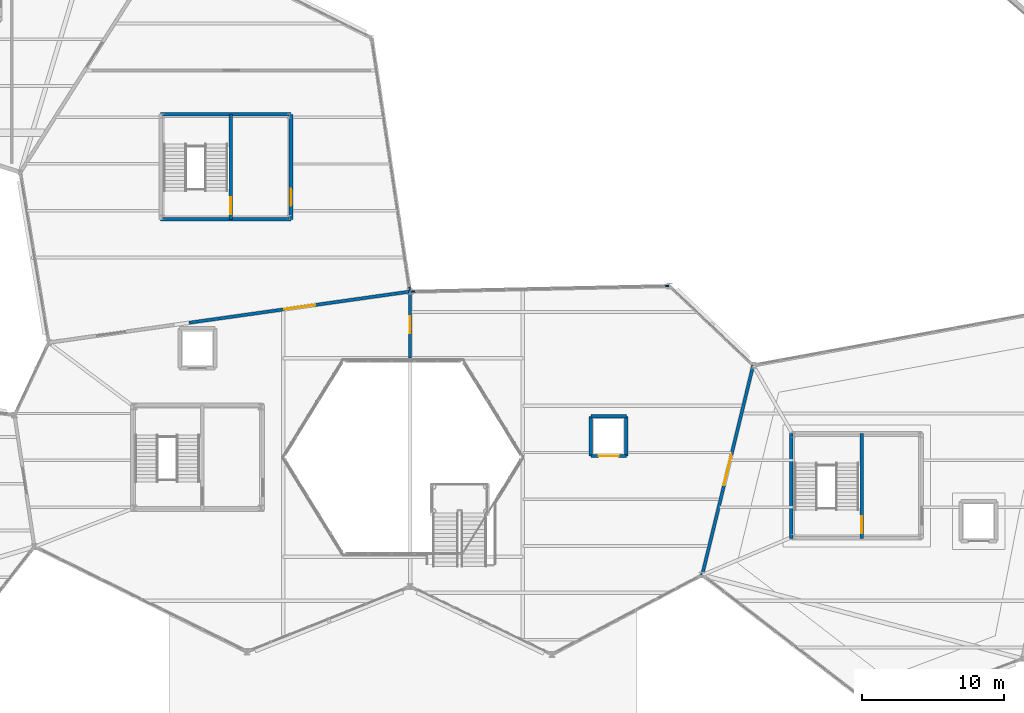
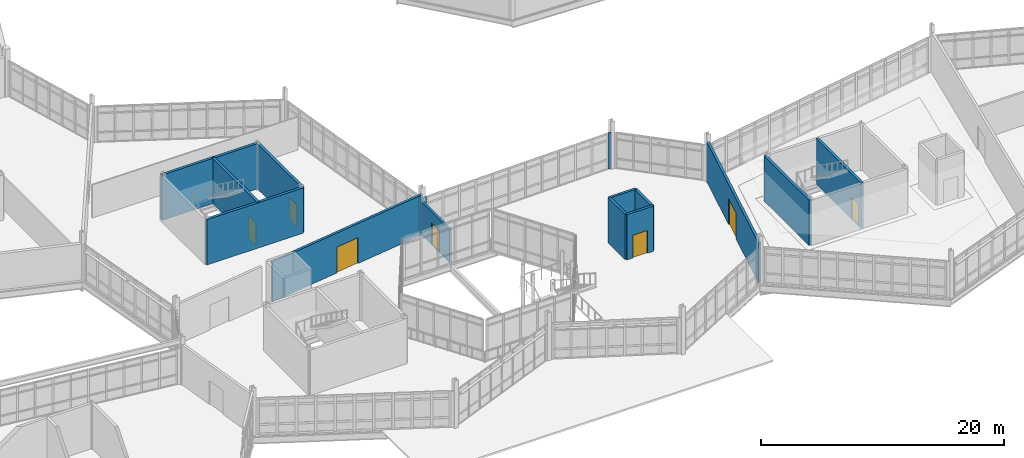
# One storey, part 109 of 134: 16 walls, 7 doors, 7 openings.
"""IFC4 building model written with IfcOpenShell, lengths in metres."""

from ifc_helpers import new_model, si_unit, direction, frame, frame_2d, origin, place, context, subcontext, project, spatial, rectangle, extrude, material, layer, layer_set, type_object, element, fill, save


model = new_model("IFC4")

# Units and contexts
model_context = context("Model", 3, precision=1e-05, world=origin(), true_north=direction((0.0, 1.0)))
body_context = subcontext(model_context, "Body", "Model", "MODEL_VIEW")
ifc_project = project(units=[si_unit("LENGTHUNIT", "METRE"), si_unit("AREAUNIT", "SQUARE_METRE"), si_unit("VOLUMEUNIT", "CUBIC_METRE"), si_unit("PLANEANGLEUNIT", "RADIAN"), si_unit("MASSUNIT", "GRAM", prefix="KILO")], contexts=[model_context])

# Site, building, storey
site_placement = place(None, origin())
site = spatial("IfcSite", under=ifc_project, at=site_placement, CompositionType="ELEMENT")
building_placement = place(site_placement, origin())
building = spatial("IfcBuilding", under=site, at=building_placement, Name="Tameran Prism Museum", CompositionType="ELEMENT")
storey_placement = place(building_placement, frame((0.0, 0.0, 5.39990234375)))
storey = spatial("IfcBuildingStorey", under=building, at=storey_placement, Name="L01", CompositionType="ELEMENT", Elevation=5.39990234375)

# Walls
ifc_material_1 = material(Name="Precast Concrete N40 (40 MPa)", Category="concrete")
ifc_layer_1 = layer(ifc_material_1, 0.094970703125)
ifc_layer_set_1 = layer_set([ifc_layer_1])
wall_type_1 = type_object("IfcWallType", Name="EW-CLOS-095", PredefinedType="SOLIDWALL", material=ifc_layer_set_1)
wall_1_placement = place(storey_placement, frame((77.60205078125, 48.201904296875, 0.0), z_axis=(0.0, 0.0, 1.0), x_axis=(0.999735659566, 0.022991541735, 0.0)))
element("IfcWall", 1, at=wall_1_placement, inside=storey, type_object=wall_type_1, Name="Facade Corner Closure EW-0197", PredefinedType="SOLIDWALL", context=body_context, shape_type="SweptSolid", body=[
    extrude(rectangle(XDim=0.307861328125, YDim=0.094970703125, at=frame_2d((0.15380859375, 0.0))), origin(), (0.0, 0.0, 1.0), 3.6201171875),
])
wall_2_placement = place(storey_placement, frame((95.449951171875, 48.592041015625, 0.0), z_axis=(0.0, 0.0, 1.0), x_axis=(0.999736078158, 0.022973333016, 0.0)))
element("IfcWall", 2, at=wall_2_placement, inside=storey, type_object=wall_type_1, Name="Facade Corner Closure EW-0198", PredefinedType="SOLIDWALL", context=body_context, shape_type="SweptSolid", body=[
    extrude(rectangle(XDim=0.30810546875, YDim=0.094970703125, at=frame_2d((0.154052734375, 0.0))), origin(), (0.0, 0.0, 1.0), 3.6201171875),
])
wall_3_placement = place(storey_placement, frame((77.43896484375, 48.60498046875, 0.0), z_axis=(0.0, 0.0, 1.0), x_axis=(0.15008766182, -0.988672692942, 0.0)))
element("IfcWall", 3, at=wall_3_placement, inside=storey, type_object=wall_type_1, Name="Facade Corner Closure EW-0202", PredefinedType="SOLIDWALL", context=body_context, shape_type="SweptSolid", body=[
    extrude(rectangle(XDim=0.307373046875, YDim=0.094970703125, at=frame_2d((0.15380859375, 0.0))), origin(), (0.0, 0.0, 1.0), 3.6201171875),
])

# Wall, opening, door
ifc_material_2 = material(Name="Concrete N32 (32 MPa)", Category="concrete")
ifc_layer_2 = layer(ifc_material_2, 0.205078125)
ifc_layer_set_2 = layer_set([ifc_layer_2])
wall_type_2 = type_object("IfcWallType", Name="IW-CMP-205", PredefinedType="SOLIDWALL", material=ifc_layer_set_2)
wall_4_placement = place(storey_placement, frame((77.5, 43.5, 0.0), z_axis=(0.0, 0.0, 1.0), x_axis=(0.0, 1.0, 0.0)))
wall_4 = element("IfcWall", 4, at=wall_4_placement, inside=storey, type_object=wall_type_2, Name="Compartment Wall IW-0081", PredefinedType="SOLIDWALL", context=body_context, shape_type="SweptSolid", body=[
    extrude(rectangle(XDim=4.699951171875, YDim=0.205078125, at=frame_2d((2.35009765625, 0.0))), origin(), (0.0, 0.0, 1.0), 3.320068359375),
])
opening_1_placement = place(wall_4_placement, frame((1.75, 0.0, 0.0)))
opening_1 = element("IfcOpeningElement", 5, at=opening_1_placement, cuts=wall_4, Name="Opening ID-0080", PredefinedType="OPENING", context=body_context, shape_type="SweptSolid", body=[
    extrude(rectangle(XDim=1.199951171875, YDim=2.199951171875, at=frame_2d((0.60009765625, 1.10009765625))), frame((0.0, 0.112548828125, 0.0), z_axis=(0.0, -1.0, 0.0), x_axis=(1.0, 0.0, 0.0)), (0.0, 0.0, 1.0), 0.22509765625),
])
ifc_material_3 = material(Name="Fire-Rated Steel Door Leaf and Frame", Category="steel")
door_type_1 = type_object("IfcDoorType", Name="DR-FD-120A", OperationType="NOTDEFINED", PredefinedType="DOOR", material=ifc_material_3)
door_1_placement = place(opening_1_placement, origin())
door_1 = element("IfcDoor", 6, at=door_1_placement, inside=storey, type_object=door_type_1, Name="Compartment Door ID-0080", OperationType="SINGLE_SWING_LEFT", OverallHeight=2.199951171875, OverallWidth=1.199951171875, PredefinedType="DOOR", context=body_context, shape_type="SweptSolid", body=[
    extrude(rectangle(XDim=1.199951171875, YDim=2.199951171875, at=frame_2d((0.60009765625, 1.10009765625))), frame((0.0, 0.02490234375, 0.0), z_axis=(0.0, -1.0, 0.0), x_axis=(1.0, 0.0, 0.0)), (0.0, 0.0, 1.0), 0.050048828125),
])
fill(opening_1, door_1)

ifc_material_4 = material(Name="Concrete N40 (40 MPa)", Category="concrete")
ifc_layer_3 = layer(ifc_material_4, 0.22509765625)
ifc_layer_set_3 = layer_set([ifc_layer_3])
wall_type_3 = type_object("IfcWallType", Name="IW-CMP-225", PredefinedType="SOLIDWALL", material=ifc_layer_set_3)
wall_5_placement = place(storey_placement, frame((77.5, 48.199951171875, 0.0), z_axis=(0.0, 0.0, 1.0), x_axis=(-0.990181159322, -0.139790098807, 0.0)))
wall_5 = element("IfcWall", 7, at=wall_5_placement, inside=storey, type_object=wall_type_3, Name="Compartment Wall IW-0082", PredefinedType="SOLIDWALL", context=body_context, shape_type="SweptSolid", body=[
    extrude(rectangle(XDim=15.737548828125, YDim=0.22509765625, at=frame_2d((7.86865234375, 0.0))), origin(), (0.0, 0.0, 1.0), 4.02001953125),
])
opening_2_placement = place(wall_5_placement, frame((6.76904296875, 0.0, 0.0)))
opening_2 = element("IfcOpeningElement", 8, at=opening_2_placement, cuts=wall_5, Name="Opening ID-0081", PredefinedType="OPENING", context=body_context, shape_type="SweptSolid", body=[
    extrude(rectangle(XDim=2.199951171875, YDim=2.60009765625, at=frame_2d((1.10009765625, 1.300048828125))), frame((0.0, 0.12255859375, 0.0), z_axis=(0.0, -1.0, 0.0), x_axis=(1.0, 0.0, 0.0)), (0.0, 0.0, 1.0), 0.2451171875),
])
ifc_material_5 = material(Name="Fire-Rated Steel Door Leaf and Frame", Category="steel")
door_type_2 = type_object("IfcDoorType", Name="DR-GAL-220", OperationType="DOUBLE_DOOR_SINGLE_SWING", PredefinedType="DOOR", material=ifc_material_5)
door_2_placement = place(opening_2_placement, origin())
door_2 = element("IfcDoor", 9, at=door_2_placement, inside=storey, type_object=door_type_2, Name="Compartment Door ID-0081", OperationType="DOUBLE_DOOR_SINGLE_SWING", OverallHeight=2.60009765625, OverallWidth=2.199951171875, PredefinedType="DOOR", context=body_context, shape_type="SweptSolid", body=[
    extrude(rectangle(XDim=2.199951171875, YDim=2.60009765625, at=frame_2d((1.10009765625, 1.300048828125))), frame((0.0, 0.02490234375, 0.0), z_axis=(0.0, -1.0, 0.0), x_axis=(1.0, 0.0, 0.0)), (0.0, 0.0, 1.0), 0.050048828125),
])
fill(opening_2, door_2)

wall_6_placement = place(storey_placement, frame((98.10009765625, 28.199951171875, 0.0), z_axis=(0.0, 0.0, 1.0), x_axis=(0.236341762997, 0.971669990822, 0.0)))
wall_6 = element("IfcWall", 10, at=wall_6_placement, inside=storey, type_object=wall_type_3, Name="Compartment Wall IW-0085", PredefinedType="SOLIDWALL", context=body_context, shape_type="SweptSolid", body=[
    extrude(rectangle(XDim=15.2314453125, YDim=0.22509765625, at=frame_2d((7.61572265625, 0.0))), origin(), (0.0, 0.0, 1.0), 4.02001953125),
])
opening_3_placement = place(wall_6_placement, frame((6.51611328125, 0.0, 0.0)))
opening_3 = element("IfcOpeningElement", 11, at=opening_3_placement, cuts=wall_6, Name="Opening ID-0084", PredefinedType="OPENING", context=body_context, shape_type="SweptSolid", body=[
    extrude(rectangle(XDim=2.199951171875, YDim=2.60009765625, at=frame_2d((1.10009765625, 1.300048828125))), frame((0.0, 0.12255859375, 0.0), z_axis=(0.0, -1.0, 0.0), x_axis=(1.0, 0.0, 0.0)), (0.0, 0.0, 1.0), 0.2451171875),
])
door_3_placement = place(opening_3_placement, origin())
door_3 = element("IfcDoor", 12, at=door_3_placement, inside=storey, type_object=door_type_2, Name="Compartment Door ID-0084", OperationType="DOUBLE_DOOR_SINGLE_SWING", OverallHeight=2.60009765625, OverallWidth=2.199951171875, PredefinedType="DOOR", context=body_context, shape_type="SweptSolid", body=[
    extrude(rectangle(XDim=2.199951171875, YDim=2.60009765625, at=frame_2d((1.10009765625, 1.300048828125))), frame((0.0, 0.02490234375, 0.0), z_axis=(0.0, -1.0, 0.0), x_axis=(1.0, 0.0, 0.0)), (0.0, 0.0, 1.0), 0.050048828125),
])
fill(opening_3, door_3)

# Walls
ifc_material_6 = material(Name="Concrete N40 (40 MPa)", Category="concrete")
ifc_layer_4 = layer(ifc_material_6, 0.25)
ifc_layer_set_4 = layer_set([ifc_layer_4])
wall_type_4 = type_object("IfcWallType", Name="IW-COR-250", PredefinedType="SHEAR", material=ifc_layer_set_4)
for number, where, z_axis, x_axis, name in (
    (13, (59.89990234375, 60.699951171875, 0.0), (0.0, 0.0, 1.0), (1.0, 0.0, 0.0), "Core Shear Wall CW-8-L01-N"),
    (14, (69.10009765625, 53.300048828125, 0.0), (0.0, 0.0, 1.0), (-1.0, 0.0, 0.0), "Core Shear Wall CW-8-L01-S"),
):
    element("IfcWall", number, at=place(storey_placement, frame(where, z_axis=z_axis, x_axis=x_axis)), inside=storey, type_object=wall_type_4, Name=name, PredefinedType="SHEAR", context=body_context, shape_type="SweptSolid", body=[
        extrude(rectangle(XDim=9.2001953125, YDim=0.25, at=frame_2d((4.60009765625, 0.0))), origin(), (0.0, 0.0, 1.0), 4.56005859375),
    ])

# Wall, opening, door
wall_7_placement = place(storey_placement, frame((69.10009765625, 60.699951171875, 0.0), z_axis=(0.0, 0.0, 1.0), x_axis=(0.0, -1.0, 0.0)))
wall_7 = element("IfcWall", 15, at=wall_7_placement, inside=storey, type_object=wall_type_4, Name="Core Shear Wall CW-8-L01-E", PredefinedType="SHEAR", context=body_context, shape_type="SweptSolid", body=[
    extrude(rectangle(XDim=7.39990234375, YDim=0.25, at=frame_2d((3.699951171875, 0.0))), origin(), (0.0, 0.0, 1.0), 4.56005859375),
])
opening_4_placement = place(wall_7_placement, frame((5.25, 0.0, 0.0)))
opening_4 = element("IfcOpeningElement", 16, at=opening_4_placement, cuts=wall_7, Name="Opening FD-0227", PredefinedType="OPENING", context=body_context, shape_type="SweptSolid", body=[
    extrude(rectangle(XDim=1.199951171875, YDim=2.199951171875, at=frame_2d((0.60009765625, 1.10009765625))), frame((0.0, 0.135009765625, 0.0), z_axis=(0.0, -1.0, 0.0), x_axis=(1.0, 0.0, 0.0)), (0.0, 0.0, 1.0), 0.27001953125),
])
door_4_placement = place(opening_4_placement, origin())
door_4 = element("IfcDoor", 17, at=door_4_placement, inside=storey, type_object=door_type_1, Name="Core Fire Door FD-0227", OperationType="SINGLE_SWING_LEFT", OverallHeight=2.199951171875, OverallWidth=1.199951171875, PredefinedType="DOOR", context=body_context, shape_type="SweptSolid", body=[
    extrude(rectangle(XDim=1.199951171875, YDim=2.199951171875, at=frame_2d((0.60009765625, 1.10009765625))), frame((0.0, 0.02490234375, 0.0), z_axis=(0.0, -1.0, 0.0), x_axis=(1.0, 0.0, 0.0)), (0.0, 0.0, 1.0), 0.050048828125),
])
fill(opening_4, door_4)

wall_8_placement = place(storey_placement, frame((64.85009765625, 60.699951171875, 0.0), z_axis=(0.0, 0.0, 1.0), x_axis=(0.0, -1.0, 0.0)))
wall_8 = element("IfcWall", 18, at=wall_8_placement, inside=storey, type_object=wall_type_4, Name="Core Shear Wall CW-8-L01-M", PredefinedType="SHEAR", context=body_context, shape_type="SweptSolid", body=[
    extrude(rectangle(XDim=7.39990234375, YDim=0.25, at=frame_2d((3.699951171875, 0.0))), origin(), (0.0, 0.0, 1.0), 4.56005859375),
])
opening_5_placement = place(wall_8_placement, frame((5.85009765625, 0.0, 0.0)))
opening_5 = element("IfcOpeningElement", 19, at=opening_5_placement, cuts=wall_8, Name="Opening FD-0228", PredefinedType="OPENING", context=body_context, shape_type="SweptSolid", body=[
    extrude(rectangle(XDim=1.199951171875, YDim=2.199951171875, at=frame_2d((0.60009765625, 1.10009765625))), frame((0.0, 0.135009765625, 0.0), z_axis=(0.0, -1.0, 0.0), x_axis=(1.0, 0.0, 0.0)), (0.0, 0.0, 1.0), 0.27001953125),
])
door_5_placement = place(opening_5_placement, origin())
door_5 = element("IfcDoor", 20, at=door_5_placement, inside=storey, type_object=door_type_1, Name="Core Fire Door FD-0228", OperationType="SINGLE_SWING_RIGHT", OverallHeight=2.199951171875, OverallWidth=1.199951171875, PredefinedType="DOOR", context=body_context, shape_type="SweptSolid", body=[
    extrude(rectangle(XDim=1.199951171875, YDim=2.199951171875, at=frame_2d((0.60009765625, 1.10009765625))), frame((0.0, 0.02490234375, 0.0), z_axis=(0.0, -1.0, 0.0), x_axis=(1.0, 0.0, 0.0)), (0.0, 0.0, 1.0), 0.050048828125),
])
fill(opening_5, door_5)

# Wall
wall_9_placement = place(storey_placement, frame((104.39990234375, 30.800048828125, 0.0), z_axis=(0.0, 0.0, 1.0), x_axis=(0.0, 1.0, 0.0)))
element("IfcWall", 21, at=wall_9_placement, inside=storey, type_object=wall_type_4, Name="Core Shear Wall CW-4-L01-W", PredefinedType="SHEAR", context=body_context, shape_type="SweptSolid", body=[
    extrude(rectangle(XDim=7.39990234375, YDim=0.25, at=frame_2d((3.699951171875, 0.0))), origin(), (0.0, 0.0, 1.0), 4.56005859375),
])

# Wall, opening, door
wall_10_placement = place(storey_placement, frame((109.35009765625, 38.199951171875, 0.0), z_axis=(0.0, 0.0, 1.0), x_axis=(0.0, -1.0, 0.0)))
wall_10 = element("IfcWall", 22, at=wall_10_placement, inside=storey, type_object=wall_type_4, Name="Core Shear Wall CW-4-L01-M", PredefinedType="SHEAR", context=body_context, shape_type="SweptSolid", body=[
    extrude(rectangle(XDim=7.39990234375, YDim=0.25, at=frame_2d((3.699951171875, 0.0))), origin(), (0.0, 0.0, 1.0), 4.56005859375),
])
opening_6_placement = place(wall_10_placement, frame((5.85009765625, 0.0, 0.0)))
opening_6 = element("IfcOpeningElement", 23, at=opening_6_placement, cuts=wall_10, Name="Opening FD-0238", PredefinedType="OPENING", context=body_context, shape_type="SweptSolid", body=[
    extrude(rectangle(XDim=1.199951171875, YDim=2.199951171875, at=frame_2d((0.60009765625, 1.10009765625))), frame((0.0, 0.135009765625, 0.0), z_axis=(0.0, -1.0, 0.0), x_axis=(1.0, 0.0, 0.0)), (0.0, 0.0, 1.0), 0.27001953125),
])
door_6_placement = place(opening_6_placement, origin())
door_6 = element("IfcDoor", 24, at=door_6_placement, inside=storey, type_object=door_type_1, Name="Core Fire Door FD-0238", OperationType="SINGLE_SWING_RIGHT", OverallHeight=2.199951171875, OverallWidth=1.199951171875, PredefinedType="DOOR", context=body_context, shape_type="SweptSolid", body=[
    extrude(rectangle(XDim=1.199951171875, YDim=2.199951171875, at=frame_2d((0.60009765625, 1.10009765625))), frame((0.0, 0.02490234375, 0.0), z_axis=(0.0, -1.0, 0.0), x_axis=(1.0, 0.0, 0.0)), (0.0, 0.0, 1.0), 0.050048828125),
])
fill(opening_6, door_6)

# Walls
ifc_material_7 = material(Name="Concrete N40 (40 MPa)", Category="concrete")
ifc_layer_5 = layer(ifc_material_7, 0.239990234375)
ifc_layer_set_5 = layer_set([ifc_layer_5])
wall_type_5 = type_object("IfcWallType", Name="IW-LFT-240", PredefinedType="SHEAR", material=ifc_layer_set_5)
wall_11_placement = place(storey_placement, frame((90.25, 39.39990234375, 0.0), z_axis=(0.0, 0.0, 1.0), x_axis=(1.0, 0.0, 0.0)))
element("IfcWall", 25, at=wall_11_placement, inside=storey, type_object=wall_type_5, Name="Lift Shaft Wall LW-PL02-L01N", PredefinedType="SHEAR", context=body_context, shape_type="SweptSolid", body=[
    extrude(rectangle(XDim=2.5, YDim=0.239990234375, at=frame_2d((1.25, 0.0))), origin(), (0.0, 0.0, 1.0), 4.56005859375),
])
for number, where, z_axis, x_axis, name in (
    (26, (92.75, 39.39990234375, 0.0), (0.0, 0.0, 1.0), (0.0, -1.0, 0.0), "Lift Shaft Wall LW-PL02-L01E"),
    (27, (90.25, 36.60009765625, 0.0), (0.0, 0.0, 1.0), (0.0, 1.0, 0.0), "Lift Shaft Wall LW-PL02-L01W"),
):
    element("IfcWall", number, at=place(storey_placement, frame(where, z_axis=z_axis, x_axis=x_axis)), inside=storey, type_object=wall_type_5, Name=name, PredefinedType="SHEAR", context=body_context, shape_type="SweptSolid", body=[
        extrude(rectangle(XDim=2.7998046875, YDim=0.239990234375, at=frame_2d((1.39990234375, 0.0))), origin(), (0.0, 0.0, 1.0), 4.56005859375),
    ])

# Wall, opening, door
wall_12_placement = place(storey_placement, frame((92.75, 36.60009765625, 0.0), z_axis=(0.0, 0.0, 1.0), x_axis=(-1.0, 0.0, 0.0)))
wall_12 = element("IfcWall", 28, at=wall_12_placement, inside=storey, type_object=wall_type_5, Name="Lift Shaft Wall LW-PL02-L01S", PredefinedType="SHEAR", context=body_context, shape_type="SweptSolid", body=[
    extrude(rectangle(XDim=2.5, YDim=0.239990234375, at=frame_2d((1.25, 0.0))), origin(), (0.0, 0.0, 1.0), 4.56005859375),
])
opening_7_placement = place(wall_12_placement, frame((0.550048828125, 0.0, 0.0)))
opening_7 = element("IfcOpeningElement", 29, at=opening_7_placement, cuts=wall_12, Name="Opening LD-PL02-L01", PredefinedType="OPENING", context=body_context, shape_type="SweptSolid", body=[
    extrude(rectangle(XDim=1.39990234375, YDim=2.300048828125, at=frame_2d((0.699951171875, 1.14990234375))), frame((0.0, 0.1298828125, 0.0), z_axis=(0.0, -1.0, 0.0), x_axis=(1.0, 0.0, 0.0)), (0.0, 0.0, 1.0), 0.260009765625),
])
ifc_material_8 = material(Name="Fire-Rated Steel Door Leaf and Frame", Category="steel")
door_type_3 = type_object("IfcDoorType", Name="DR-LD-PL2", OperationType="SLIDING_TO_LEFT", PredefinedType="DOOR", material=ifc_material_8)
door_7_placement = place(opening_7_placement, origin())
door_7 = element("IfcDoor", 30, at=door_7_placement, inside=storey, type_object=door_type_3, Name="Passenger Lift PL-02 Landing Door L01", OperationType="SLIDING_TO_LEFT", OverallHeight=2.300048828125, OverallWidth=1.39990234375, PredefinedType="DOOR", context=body_context, shape_type="SweptSolid", body=[
    extrude(rectangle(XDim=1.39990234375, YDim=2.300048828125, at=frame_2d((0.699951171875, 1.14990234375))), frame((0.0, 0.02490234375, 0.0), z_axis=(0.0, -1.0, 0.0), x_axis=(1.0, 0.0, 0.0)), (0.0, 0.0, 1.0), 0.050048828125),
])
fill(opening_7, door_7)

save(model, "model.ifc")
